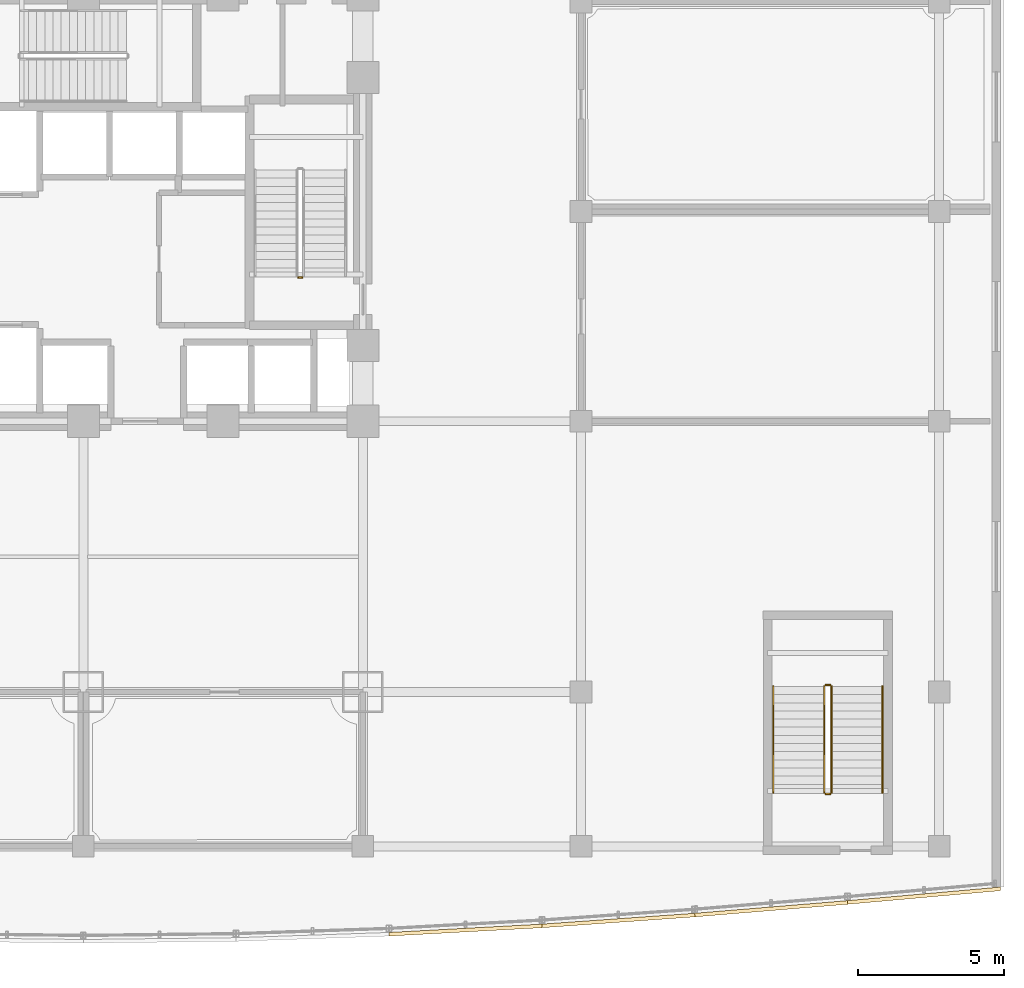
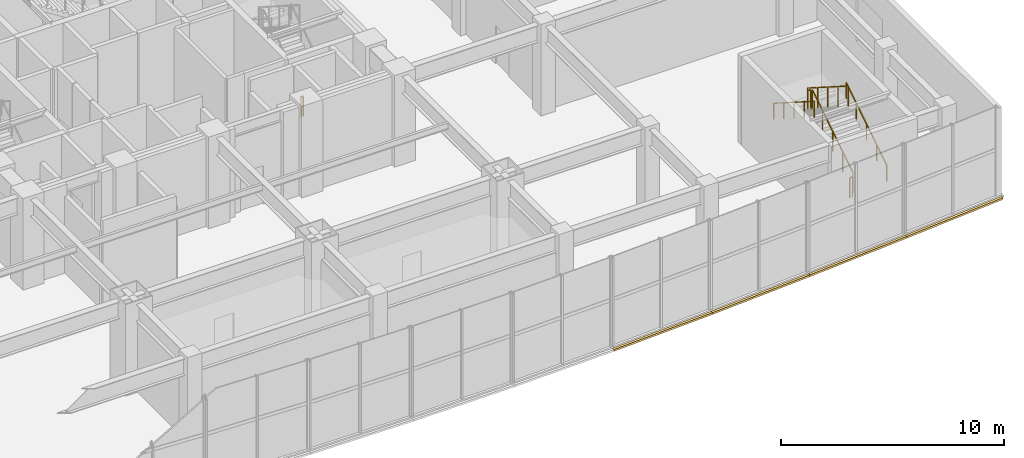
# One storey, part 19 of 24: 7 railings, 4 coverings.
"""IFC4 building model written with IfcOpenShell, lengths in metres."""

from ifc_helpers import new_model, si_unit, direction, frame, origin, origin_2d, place, context, subcontext, project, spatial, polyline, rectangle, outline, extrude, material, layer, layer_set, type_object, element, save


model = new_model("IFC4")

# Units and contexts
model_context = context("Model", 3, precision=1e-05, world=origin(), true_north=direction((0.0, 1.0)))
body_context = subcontext(model_context, "Body", "Model", "MODEL_VIEW")
ifc_project = project(units=[si_unit("LENGTHUNIT", "METRE"), si_unit("AREAUNIT", "SQUARE_METRE"), si_unit("VOLUMEUNIT", "CUBIC_METRE"), si_unit("PLANEANGLEUNIT", "RADIAN"), si_unit("MASSUNIT", "GRAM", prefix="KILO")], contexts=[model_context])

# Site, building, storey
site_placement = place(None, origin())
site = spatial("IfcSite", under=ifc_project, at=site_placement, CompositionType="ELEMENT")
building_placement = place(site_placement, origin())
building = spatial("IfcBuilding", under=site, at=building_placement, Name="Vantalir Tower", CompositionType="ELEMENT")
storey_placement = place(building_placement, frame((0.0, 0.0, 11.0)))
storey = spatial("IfcBuildingStorey", under=building, at=storey_placement, Name="L02", CompositionType="ELEMENT", Elevation=11.0)

# Coverings
ifc_material_1 = material(Name="Anodised champagne aluminium sill fascia", Category="aluminium")
ifc_layer = layer(ifc_material_1, 0.125)
ifc_layer_set = layer_set([ifc_layer], Name="Anodised champagne aluminium sill fascia")
covering_type = type_object("IfcCoveringType", Name="COV-SLAB-FASCIA-125", PredefinedType="CLADDING", material=ifc_layer_set)
covering_1_placement = place(storey_placement, frame((0.0, 0.0, -0.179931640625)))
element("IfcCovering", 1, at=covering_1_placement, inside=storey, type_object=covering_type, Name="Level 02 South Prow Slab-Edge Fascia 09", PredefinedType="CLADDING", context=body_context, shape_type="SweptSolid", body=[
    extrude(outline(polyline([(42.0, 0.240966796875), (42.007080078125, 0.115966796875), (47.257080078125, 0.402099609375), (47.25, 0.527099609375), (42.0, 0.240966796875)])), origin(), (0.0, 0.0, 1.0), 0.10498046875),
])
covering_2_placement = place(storey_placement, frame((0.0, 0.0, -0.179931640625)))
element("IfcCovering", 2, at=covering_2_placement, inside=storey, type_object=covering_type, Name="Level 02 South Prow Slab-Edge Fascia 10", PredefinedType="CLADDING", context=body_context, shape_type="SweptSolid", body=[
    extrude(outline(polyline([(47.25, 0.527099609375), (47.259033203125, 0.402099609375), (52.509033203125, 0.77490234375), (52.5, 0.89990234375), (47.25, 0.527099609375)])), origin(), (0.0, 0.0, 1.0), 0.10498046875),
])
covering_3_placement = place(storey_placement, frame((0.0, 0.0, -0.179931640625)))
element("IfcCovering", 3, at=covering_3_placement, inside=storey, type_object=covering_type, Name="Level 02 South Prow Slab-Edge Fascia 11", PredefinedType="CLADDING", context=body_context, shape_type="SweptSolid", body=[
    extrude(outline(polyline([(52.5, 0.89990234375), (52.510009765625, 0.77490234375), (57.760009765625, 1.208984375), (57.75, 1.333984375), (52.5, 0.89990234375)])), origin(), (0.0, 0.0, 1.0), 0.10498046875),
])
covering_4_placement = place(storey_placement, frame((0.0, 0.0, -0.179931640625)))
element("IfcCovering", 4, at=covering_4_placement, inside=storey, type_object=covering_type, Name="Level 02 South Prow Slab-Edge Fascia 12", PredefinedType="CLADDING", context=body_context, shape_type="SweptSolid", body=[
    extrude(outline(polyline([(57.75, 1.333984375), (57.760986328125, 1.208984375), (63.010986328125, 1.675048828125), (63.0, 1.800048828125), (57.75, 1.333984375)])), origin(), (0.0, 0.0, 1.0), 0.10498046875),
])

# Railings
ifc_material_2 = material(Name="Anodised aluminium and stainless steel guard", Category="steel")
railing_type_1 = type_object("IfcRailingType", Name="RAL-GUARD-1120", PredefinedType="GUARDRAIL", material=ifc_material_2)
railing_1_placement = place(storey_placement, frame((39.010009765625, 22.739990234375, 0.0)))
element("IfcRailing", 5, at=railing_1_placement, inside=storey, type_object=railing_type_1, Name="Level 02 ST2 stair guard 4", PredefinedType="GUARDRAIL", context=body_context, shape_type="SweptSolid", body=[
    extrude(rectangle(XDim=0.048095703125, YDim=0.048095703125, at=origin_2d()), frame((0.0, 0.0, 1.09619140625), z_axis=(-1.0, 0.0, 0.0), x_axis=(0.0, -1.0, 0.0)), (0.0, 0.0, 1.0), 0.1201171875),
    extrude(rectangle(XDim=0.0419921875, YDim=0.0419921875, at=origin_2d()), origin(), (0.0, 0.0, 1.0), 1.072021484375),
    extrude(rectangle(XDim=0.0419921875, YDim=0.0419921875, at=origin_2d()), frame((-0.1201171875, 0.0, 0.0)), (0.0, 0.0, 1.0), 1.072021484375),
])
railing_2_placement = place(storey_placement, frame((57.199951171875, 5.050048828125, 0.178466796875)))
element("IfcRailing", 6, at=railing_2_placement, inside=storey, type_object=railing_type_1, Name="Level 02 PST4 stair guard 1", PredefinedType="GUARDRAIL", context=body_context, shape_type="SweptSolid", body=[
    extrude(rectangle(XDim=0.048095703125, YDim=0.048095703125, at=origin_2d()), frame((0.0, 0.0, 1.09619140625), z_axis=(0.0, 0.843111507901, 0.53773877045), x_axis=(-1.0, 0.0, 0.0)), (0.0, 0.0, 1.0), 4.317138671875),
    extrude(rectangle(XDim=0.0419921875, YDim=0.0419921875, at=origin_2d()), origin(), (0.0, 0.0, 1.0), 1.072021484375),
    extrude(rectangle(XDim=0.0419921875, YDim=0.0419921875, at=origin_2d()), frame((0.0, 0.909912109375, 0.580322265625)), (0.0, 0.0, 1.0), 1.072021484375),
    extrude(rectangle(XDim=0.0419921875, YDim=0.0419921875, at=origin_2d()), frame((0.0, 1.81982421875, 1.16064453125)), (0.0, 0.0, 1.0), 1.072021484375),
    extrude(rectangle(XDim=0.0419921875, YDim=0.0419921875, at=origin_2d()), frame((0.0, 2.72998046875, 1.7412109375)), (0.0, 0.0, 1.0), 1.072021484375),
    extrude(rectangle(XDim=0.0419921875, YDim=0.0419921875, at=origin_2d()), frame((0.0, 3.639892578125, 2.321533203125)), (0.0, 0.0, 1.0), 1.072021484375),
])
railing_3_placement = place(storey_placement, frame((57.14990234375, 8.739990234375, 2.5)))
element("IfcRailing", 7, at=railing_3_placement, inside=storey, type_object=railing_type_1, Name="Level 02 PST4 stair guard 2", PredefinedType="GUARDRAIL", context=body_context, shape_type="SweptSolid", body=[
    extrude(rectangle(XDim=0.048095703125, YDim=0.048095703125, at=origin_2d()), frame((0.0, 0.0, 1.09619140625), z_axis=(-1.0, 0.0, 0.0), x_axis=(0.0, -1.0, 0.0)), (0.0, 0.0, 1.0), 0.14990234375),
    extrude(rectangle(XDim=0.0419921875, YDim=0.0419921875, at=origin_2d()), origin(), (0.0, 0.0, 1.0), 1.072021484375),
    extrude(rectangle(XDim=0.0419921875, YDim=0.0419921875, at=origin_2d()), frame((-0.14990234375, 0.0, 0.0)), (0.0, 0.0, 1.0), 1.072021484375),
])
railing_4_placement = place(storey_placement, frame((56.949951171875, 8.68994140625, 2.678466796875)))
element("IfcRailing", 8, at=railing_4_placement, inside=storey, type_object=railing_type_1, Name="Level 02 PST4 stair guard 3", PredefinedType="GUARDRAIL", context=body_context, shape_type="SweptSolid", body=[
    extrude(rectangle(XDim=0.048095703125, YDim=0.048095703125, at=origin_2d()), frame((0.0, 0.0, 1.09619140625), z_axis=(0.0, -0.843111507901, 0.53773877045), x_axis=(1.0, 0.0, 0.0)), (0.0, 0.0, 1.0), 4.317138671875),
    extrude(rectangle(XDim=0.0419921875, YDim=0.0419921875, at=origin_2d()), origin(), (0.0, 0.0, 1.0), 1.072021484375),
    extrude(rectangle(XDim=0.0419921875, YDim=0.0419921875, at=origin_2d()), frame((0.0, -0.909912109375, 0.580322265625)), (0.0, 0.0, 1.0), 1.072021484375),
    extrude(rectangle(XDim=0.0419921875, YDim=0.0419921875, at=origin_2d()), frame((0.0, -1.81982421875, 1.16064453125)), (0.0, 0.0, 1.0), 1.072021484375),
    extrude(rectangle(XDim=0.0419921875, YDim=0.0419921875, at=origin_2d()), frame((0.0, -2.72998046875, 1.7412109375)), (0.0, 0.0, 1.0), 1.072021484375),
    extrude(rectangle(XDim=0.0419921875, YDim=0.0419921875, at=origin_2d()), frame((0.0, -3.639892578125, 2.321533203125)), (0.0, 0.0, 1.0), 1.072021484375),
])
railing_5_placement = place(storey_placement, frame((57.14990234375, 5.0, 0.0)))
element("IfcRailing", 9, at=railing_5_placement, inside=storey, type_object=railing_type_1, Name="Level 02 PST4 stair guard 4", PredefinedType="GUARDRAIL", context=body_context, shape_type="SweptSolid", body=[
    extrude(rectangle(XDim=0.048095703125, YDim=0.048095703125, at=origin_2d()), frame((0.0, 0.0, 1.09619140625), z_axis=(-1.0, 0.0, 0.0), x_axis=(0.0, -1.0, 0.0)), (0.0, 0.0, 1.0), 0.14990234375),
    extrude(rectangle(XDim=0.0419921875, YDim=0.0419921875, at=origin_2d()), origin(), (0.0, 0.0, 1.0), 1.072021484375),
    extrude(rectangle(XDim=0.0419921875, YDim=0.0419921875, at=origin_2d()), frame((-0.14990234375, 0.0, 0.0)), (0.0, 0.0, 1.0), 1.072021484375),
])
ifc_material_3 = material(Name="Brushed stainless steel tubular handrail", Category="steel")
railing_type_2 = type_object("IfcRailingType", Name="RAL-HANDRAIL-900", PredefinedType="HANDRAIL", material=ifc_material_3)
railing_6_placement = place(storey_placement, frame((58.949951171875, 5.050048828125, 0.178466796875)))
element("IfcRailing", 10, at=railing_6_placement, inside=storey, type_object=railing_type_2, Name="Level 02 PST4 stair handrail 1", PredefinedType="HANDRAIL", context=body_context, shape_type="SweptSolid", body=[
    extrude(rectangle(XDim=0.048095703125, YDim=0.048095703125, at=origin_2d()), frame((0.0, 0.0, 0.8759765625), z_axis=(0.0, 0.843111507901, 0.53773877045), x_axis=(-1.0, 0.0, 0.0)), (0.0, 0.0, 1.0), 4.317138671875),
    extrude(rectangle(XDim=0.0419921875, YDim=0.0419921875, at=origin_2d()), origin(), (0.0, 0.0, 1.0), 0.851806640625),
    extrude(rectangle(XDim=0.0419921875, YDim=0.0419921875, at=origin_2d()), frame((0.0, 0.909912109375, 0.580322265625)), (0.0, 0.0, 1.0), 0.851806640625),
    extrude(rectangle(XDim=0.0419921875, YDim=0.0419921875, at=origin_2d()), frame((0.0, 1.81982421875, 1.16064453125)), (0.0, 0.0, 1.0), 0.851806640625),
    extrude(rectangle(XDim=0.0419921875, YDim=0.0419921875, at=origin_2d()), frame((0.0, 2.72998046875, 1.7412109375)), (0.0, 0.0, 1.0), 0.851806640625),
    extrude(rectangle(XDim=0.0419921875, YDim=0.0419921875, at=origin_2d()), frame((0.0, 3.639892578125, 2.321533203125)), (0.0, 0.0, 1.0), 0.851806640625),
])
railing_7_placement = place(storey_placement, frame((55.199951171875, 8.68994140625, 2.678466796875)))
element("IfcRailing", 11, at=railing_7_placement, inside=storey, type_object=railing_type_2, Name="Level 02 PST4 stair handrail 2", PredefinedType="HANDRAIL", context=body_context, shape_type="SweptSolid", body=[
    extrude(rectangle(XDim=0.048095703125, YDim=0.048095703125, at=origin_2d()), frame((0.0, 0.0, 0.8759765625), z_axis=(0.0, -0.843111507901, 0.53773877045), x_axis=(1.0, 0.0, 0.0)), (0.0, 0.0, 1.0), 4.317138671875),
    extrude(rectangle(XDim=0.0419921875, YDim=0.0419921875, at=origin_2d()), origin(), (0.0, 0.0, 1.0), 0.851806640625),
    extrude(rectangle(XDim=0.0419921875, YDim=0.0419921875, at=origin_2d()), frame((0.0, -0.909912109375, 0.580322265625)), (0.0, 0.0, 1.0), 0.851806640625),
    extrude(rectangle(XDim=0.0419921875, YDim=0.0419921875, at=origin_2d()), frame((0.0, -1.81982421875, 1.16064453125)), (0.0, 0.0, 1.0), 0.851806640625),
    extrude(rectangle(XDim=0.0419921875, YDim=0.0419921875, at=origin_2d()), frame((0.0, -2.72998046875, 1.7412109375)), (0.0, 0.0, 1.0), 0.851806640625),
    extrude(rectangle(XDim=0.0419921875, YDim=0.0419921875, at=origin_2d()), frame((0.0, -3.639892578125, 2.321533203125)), (0.0, 0.0, 1.0), 0.851806640625),
])

save(model, "model.ifc")
